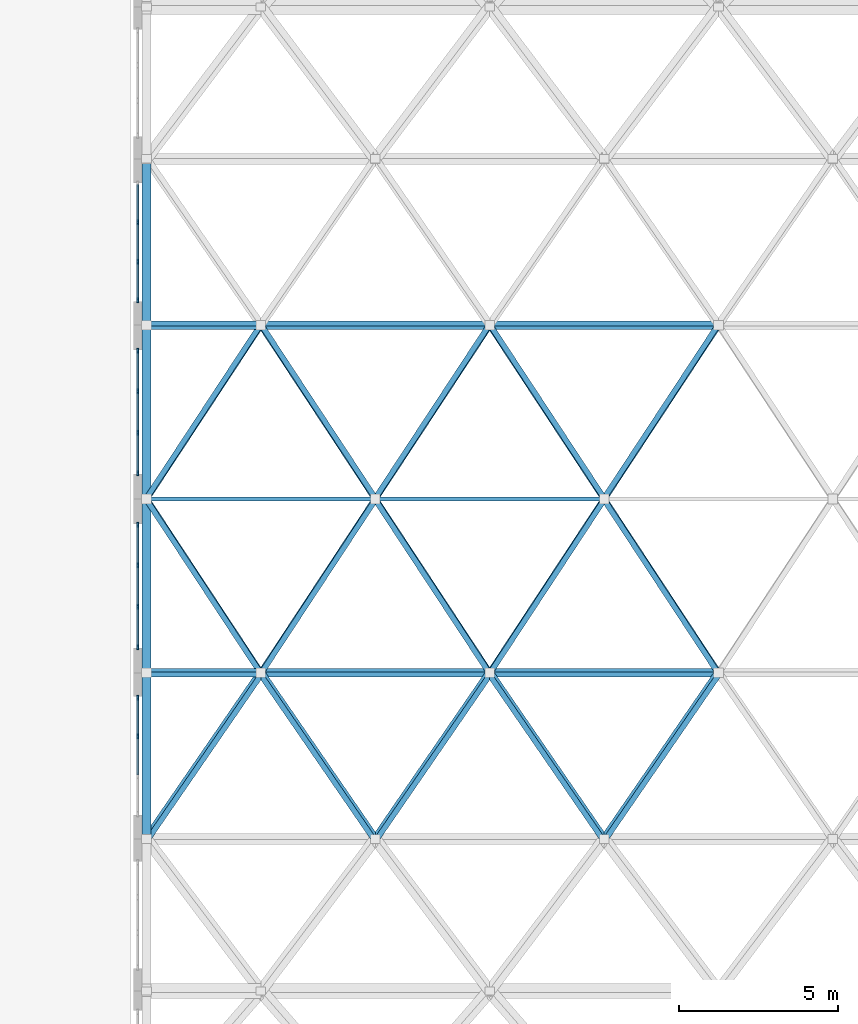
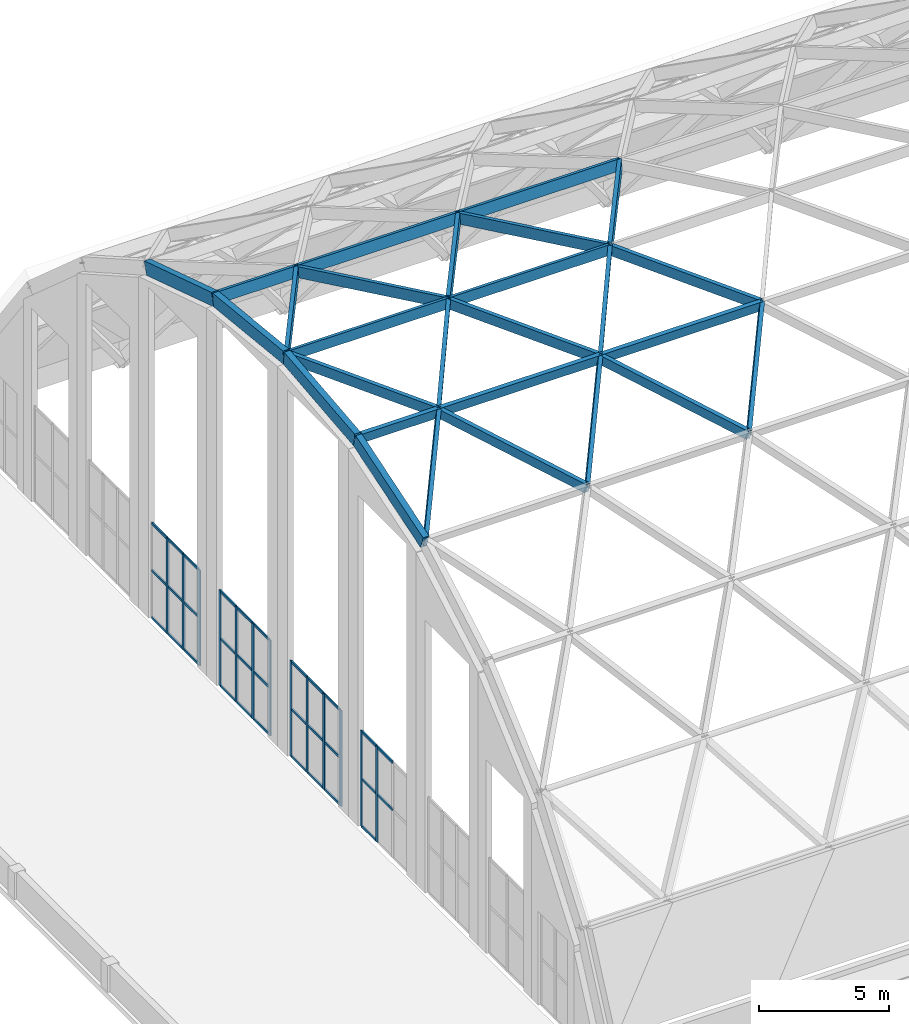
# One storey, part 5 of 52: 60 members, 12 beams, 4 elements without a shape of their own.
"""IFC4 building model written with IfcOpenShell, lengths in metres."""

from ifc_helpers import new_model, si_unit, direction, frame, origin, origin_2d, place, context, subcontext, project, spatial, rectangle, extrude, material, material_profile, profile_set, type_object, element, aggregate, save


model = new_model("IFC4")

# Units and contexts
model_context = context("Model", 3, precision=1e-05, world=origin(), true_north=direction((0.0, 1.0)))
body_context = subcontext(model_context, "Body", "Model", "MODEL_VIEW")
ifc_project = project(units=[si_unit("LENGTHUNIT", "METRE"), si_unit("AREAUNIT", "SQUARE_METRE"), si_unit("VOLUMEUNIT", "CUBIC_METRE"), si_unit("PLANEANGLEUNIT", "RADIAN"), si_unit("MASSUNIT", "GRAM", prefix="KILO")], contexts=[model_context])

# Site, building, storey
site_placement = place(None, origin())
site = spatial("IfcSite", under=ifc_project, at=site_placement, CompositionType="ELEMENT")
building_placement = place(site_placement, origin())
building = spatial("IfcBuilding", under=site, at=building_placement, Name="Vermilion Court Aquatics Centre", CompositionType="ELEMENT")
storey_placement = place(building_placement, frame((0.0, 0.0, 12.0)))
storey = spatial("IfcBuildingStorey", under=building, at=storey_placement, Name="L02", CompositionType="ELEMENT", Elevation=12.0)

# Curtain wall, members
ifc_material_1 = material(Name="Aluminium 6063-T5", Category="aluminium")
curtain_wall_type = type_object("IfcCurtainWallType", Name="Envelope curtain wall west gable lower runs", PredefinedType="NOTDEFINED", material=ifc_material_1)
curtain_wall_1_placement = place(storey_placement, origin())
curtain_wall_1 = element("IfcCurtainWall", 1, at=curtain_wall_1_placement, inside=storey, type_object=curtain_wall_type, Name="Gable glazing west 5.1", PredefinedType="NOTDEFINED")
ifc_material_2 = material(Name="Aluminium 6063-T5", Category="aluminium")
ifc_material_profile_1 = material_profile(ifc_material_2, rectangle(XDim=0.06005859375, YDim=0.159912109375, at=origin_2d()), Name="AL 60x160")
ifc_profile_set_1 = profile_set([ifc_material_profile_1], Name="Aluminium 6063-T5")
member_type_1 = type_object("IfcMemberType", Name="Envelope aluminium mullion 60x160", PredefinedType="MULLION", material=ifc_profile_set_1)
member_1_placement = place(storey_placement, frame((14.125, 32.13671875, 0.0), z_axis=(0.0, 0.0, 1.0), x_axis=(-1.0, 0.0, 0.0)))
member_1 = element("IfcMember", 2, at=member_1_placement, type_object=member_type_1, Name="ECW3 mullion 3", PredefinedType="MULLION", context=body_context, shape_type="SweptSolid", body=[
    extrude(rectangle(XDim=0.06005859375, YDim=0.159912109375, at=origin_2d()), origin(), (0.0, 0.0, 1.0), 4.5),
])
member_2_placement = place(storey_placement, frame((14.125, 33.35009765625, 0.0), z_axis=(0.0, 0.0, 1.0), x_axis=(-1.0, 0.0, 0.0)))
member_2 = element("IfcMember", 3, at=member_2_placement, type_object=member_type_1, Name="ECW3 mullion 4", PredefinedType="MULLION", context=body_context, shape_type="SweptSolid", body=[
    extrude(rectangle(XDim=0.06005859375, YDim=0.159912109375, at=origin_2d()), origin(), (0.0, 0.0, 1.0), 4.5),
])

curtain_wall_2_placement = place(storey_placement, origin())
curtain_wall_2 = element("IfcCurtainWall", 4, at=curtain_wall_2_placement, inside=storey, type_object=curtain_wall_type, Name="Gable glazing west 6.1", PredefinedType="NOTDEFINED")
member_3_placement = place(storey_placement, frame((14.125, 34.93994140625, 0.0), z_axis=(0.0, 0.0, 1.0), x_axis=(-1.0, 0.0, 0.0)))
member_3 = element("IfcMember", 5, at=member_3_placement, type_object=member_type_1, Name="ECW3 mullion 1", PredefinedType="MULLION", context=body_context, shape_type="SweptSolid", body=[
    extrude(rectangle(XDim=0.06005859375, YDim=0.159912109375, at=origin_2d()), origin(), (0.0, 0.0, 1.0), 4.5),
])
member_4_placement = place(storey_placement, frame((14.125, 36.21337890625, 0.0), z_axis=(0.0, 0.0, 1.0), x_axis=(-1.0, 0.0, 0.0)))
member_4 = element("IfcMember", 6, at=member_4_placement, type_object=member_type_1, Name="ECW3 mullion 2", PredefinedType="MULLION", context=body_context, shape_type="SweptSolid", body=[
    extrude(rectangle(XDim=0.06005859375, YDim=0.159912109375, at=origin_2d()), origin(), (0.0, 0.0, 1.0), 4.5),
])
member_5_placement = place(storey_placement, frame((14.125, 37.5166015625, 0.0), z_axis=(0.0, 0.0, 1.0), x_axis=(-1.0, 0.0, 0.0)))
member_5 = element("IfcMember", 7, at=member_5_placement, type_object=member_type_1, Name="ECW3 mullion 3", PredefinedType="MULLION", context=body_context, shape_type="SweptSolid", body=[
    extrude(rectangle(XDim=0.06005859375, YDim=0.159912109375, at=origin_2d()), origin(), (0.0, 0.0, 1.0), 4.5),
])
member_6_placement = place(storey_placement, frame((14.125, 38.7900390625, 0.0), z_axis=(0.0, 0.0, 1.0), x_axis=(-1.0, 0.0, 0.0)))
member_6 = element("IfcMember", 8, at=member_6_placement, type_object=member_type_1, Name="ECW3 mullion 4", PredefinedType="MULLION", context=body_context, shape_type="SweptSolid", body=[
    extrude(rectangle(XDim=0.06005859375, YDim=0.159912109375, at=origin_2d()), origin(), (0.0, 0.0, 1.0), 4.5),
])

curtain_wall_3_placement = place(storey_placement, origin())
curtain_wall_3 = element("IfcCurtainWall", 9, at=curtain_wall_3_placement, inside=storey, type_object=curtain_wall_type, Name="Gable glazing west 7.1", PredefinedType="NOTDEFINED")
member_7_placement = place(storey_placement, frame((14.125, 40.409912109375, 0.0), z_axis=(0.0, 0.0, 1.0), x_axis=(-1.0, 0.0, 0.0)))
member_7 = element("IfcMember", 10, at=member_7_placement, type_object=member_type_1, Name="ECW3 mullion 1", PredefinedType="MULLION", context=body_context, shape_type="SweptSolid", body=[
    extrude(rectangle(XDim=0.06005859375, YDim=0.159912109375, at=origin_2d()), origin(), (0.0, 0.0, 1.0), 4.5),
])
member_8_placement = place(storey_placement, frame((14.125, 41.683349609375, 0.0), z_axis=(0.0, 0.0, 1.0), x_axis=(-1.0, 0.0, 0.0)))
member_8 = element("IfcMember", 11, at=member_8_placement, type_object=member_type_1, Name="ECW3 mullion 2", PredefinedType="MULLION", context=body_context, shape_type="SweptSolid", body=[
    extrude(rectangle(XDim=0.06005859375, YDim=0.159912109375, at=origin_2d()), origin(), (0.0, 0.0, 1.0), 4.5),
])
member_9_placement = place(storey_placement, frame((14.125, 42.986572265625, 0.0), z_axis=(0.0, 0.0, 1.0), x_axis=(-1.0, 0.0, 0.0)))
member_9 = element("IfcMember", 12, at=member_9_placement, type_object=member_type_1, Name="ECW3 mullion 3", PredefinedType="MULLION", context=body_context, shape_type="SweptSolid", body=[
    extrude(rectangle(XDim=0.06005859375, YDim=0.159912109375, at=origin_2d()), origin(), (0.0, 0.0, 1.0), 4.5),
])
member_10_placement = place(storey_placement, frame((14.125, 44.260009765625, 0.0), z_axis=(0.0, 0.0, 1.0), x_axis=(-1.0, 0.0, 0.0)))
member_10 = element("IfcMember", 13, at=member_10_placement, type_object=member_type_1, Name="ECW3 mullion 4", PredefinedType="MULLION", context=body_context, shape_type="SweptSolid", body=[
    extrude(rectangle(XDim=0.06005859375, YDim=0.159912109375, at=origin_2d()), origin(), (0.0, 0.0, 1.0), 4.5),
])

curtain_wall_4_placement = place(storey_placement, origin())
curtain_wall_4 = element("IfcCurtainWall", 14, at=curtain_wall_4_placement, inside=storey, type_object=curtain_wall_type, Name="Gable glazing west 8.1", PredefinedType="NOTDEFINED")
member_11_placement = place(storey_placement, frame((14.125, 45.85009765625, 0.0), z_axis=(0.0, 0.0, 1.0), x_axis=(-1.0, 0.0, 0.0)))
member_11 = element("IfcMember", 15, at=member_11_placement, type_object=member_type_1, Name="ECW3 mullion 1", PredefinedType="MULLION", context=body_context, shape_type="SweptSolid", body=[
    extrude(rectangle(XDim=0.06005859375, YDim=0.159912109375, at=origin_2d()), origin(), (0.0, 0.0, 1.0), 4.5),
])
member_12_placement = place(storey_placement, frame((14.125, 47.063232421875, 0.0), z_axis=(0.0, 0.0, 1.0), x_axis=(-1.0, 0.0, 0.0)))
member_12 = element("IfcMember", 16, at=member_12_placement, type_object=member_type_1, Name="ECW3 mullion 2", PredefinedType="MULLION", context=body_context, shape_type="SweptSolid", body=[
    extrude(rectangle(XDim=0.06005859375, YDim=0.159912109375, at=origin_2d()), origin(), (0.0, 0.0, 1.0), 4.5),
])
member_13_placement = place(storey_placement, frame((14.125, 48.306640625, 0.0), z_axis=(0.0, 0.0, 1.0), x_axis=(-1.0, 0.0, 0.0)))
member_13 = element("IfcMember", 17, at=member_13_placement, type_object=member_type_1, Name="ECW3 mullion 3", PredefinedType="MULLION", context=body_context, shape_type="SweptSolid", body=[
    extrude(rectangle(XDim=0.06005859375, YDim=0.159912109375, at=origin_2d()), origin(), (0.0, 0.0, 1.0), 4.5),
])

# Member
ifc_material_3 = material(Name="Aluminium 6063-T5", Category="aluminium")
ifc_material_profile_2 = material_profile(ifc_material_3, rectangle(XDim=0.06005859375, YDim=0.1201171875, at=origin_2d()), Name="AL 60x120")
ifc_profile_set_2 = profile_set([ifc_material_profile_2], Name="Aluminium 6063-T5")
member_type_2 = type_object("IfcMemberType", Name="Envelope aluminium transom 60x120", PredefinedType="USERDEFINED", material=ifc_profile_set_2)
member_14_placement = place(storey_placement, frame((14.125, 30.92333984375, 2.25), z_axis=(0.0, 1.0, 0.0), x_axis=(-1.0, 0.0, 0.0)))
member_14 = element("IfcMember", 18, at=member_14_placement, type_object=member_type_2, Name="ECW3 transom 2.2", ObjectType="TRANSOM", PredefinedType="USERDEFINED", context=body_context, shape_type="SweptSolid", body=[
    extrude(rectangle(XDim=0.06005859375, YDim=0.1201171875, at=origin_2d()), origin(), (0.0, 0.0, 1.0), 1.183349609375),
])

member_15_placement = place(storey_placement, frame((14.125, 30.92333984375, 4.469970703125), z_axis=(0.0, 1.0, 0.0), x_axis=(-1.0, 0.0, 0.0)))
member_15 = element("IfcMember", 19, at=member_15_placement, type_object=member_type_2, Name="ECW3 transom 2.3", ObjectType="TRANSOM", PredefinedType="USERDEFINED", context=body_context, shape_type="SweptSolid", body=[
    extrude(rectangle(XDim=0.06005859375, YDim=0.1201171875, at=origin_2d()), origin(), (0.0, 0.0, 1.0), 1.183349609375),
])

member_16_placement = place(storey_placement, frame((14.125, 32.166748046875, 0.030029296875), z_axis=(0.0, 1.0, 0.0), x_axis=(-1.0, 0.0, 0.0)))
member_16 = element("IfcMember", 20, at=member_16_placement, type_object=member_type_2, Name="ECW3 transom 3.1", ObjectType="TRANSOM", PredefinedType="USERDEFINED", context=body_context, shape_type="SweptSolid", body=[
    extrude(rectangle(XDim=0.06005859375, YDim=0.1201171875, at=origin_2d()), origin(), (0.0, 0.0, 1.0), 1.1533203125),
])

member_17_placement = place(storey_placement, frame((14.125, 32.166748046875, 2.25), z_axis=(0.0, 1.0, 0.0), x_axis=(-1.0, 0.0, 0.0)))
member_17 = element("IfcMember", 21, at=member_17_placement, type_object=member_type_2, Name="ECW3 transom 3.2", ObjectType="TRANSOM", PredefinedType="USERDEFINED", context=body_context, shape_type="SweptSolid", body=[
    extrude(rectangle(XDim=0.06005859375, YDim=0.1201171875, at=origin_2d()), origin(), (0.0, 0.0, 1.0), 1.1533203125),
])

member_18_placement = place(storey_placement, frame((14.125, 32.166748046875, 4.469970703125), z_axis=(0.0, 1.0, 0.0), x_axis=(-1.0, 0.0, 0.0)))
member_18 = element("IfcMember", 22, at=member_18_placement, type_object=member_type_2, Name="ECW3 transom 3.3", ObjectType="TRANSOM", PredefinedType="USERDEFINED", context=body_context, shape_type="SweptSolid", body=[
    extrude(rectangle(XDim=0.06005859375, YDim=0.1201171875, at=origin_2d()), origin(), (0.0, 0.0, 1.0), 1.1533203125),
])

aggregate(curtain_wall_1, [member_1, member_2, member_14, member_15, member_16, member_17, member_18])

member_19_placement = place(storey_placement, frame((14.125, 34.969970703125, 0.030029296875), z_axis=(0.0, 1.0, 0.0), x_axis=(-1.0, 0.0, 0.0)))
member_19 = element("IfcMember", 23, at=member_19_placement, type_object=member_type_2, Name="ECW3 transom 1.1", ObjectType="TRANSOM", PredefinedType="USERDEFINED", context=body_context, shape_type="SweptSolid", body=[
    extrude(rectangle(XDim=0.06005859375, YDim=0.1201171875, at=origin_2d()), origin(), (0.0, 0.0, 1.0), 1.21337890625),
])

member_20_placement = place(storey_placement, frame((14.125, 34.969970703125, 2.25), z_axis=(0.0, 1.0, 0.0), x_axis=(-1.0, 0.0, 0.0)))
member_20 = element("IfcMember", 24, at=member_20_placement, type_object=member_type_2, Name="ECW3 transom 1.2", ObjectType="TRANSOM", PredefinedType="USERDEFINED", context=body_context, shape_type="SweptSolid", body=[
    extrude(rectangle(XDim=0.06005859375, YDim=0.1201171875, at=origin_2d()), origin(), (0.0, 0.0, 1.0), 1.21337890625),
])

member_21_placement = place(storey_placement, frame((14.125, 34.969970703125, 4.469970703125), z_axis=(0.0, 1.0, 0.0), x_axis=(-1.0, 0.0, 0.0)))
member_21 = element("IfcMember", 25, at=member_21_placement, type_object=member_type_2, Name="ECW3 transom 1.3", ObjectType="TRANSOM", PredefinedType="USERDEFINED", context=body_context, shape_type="SweptSolid", body=[
    extrude(rectangle(XDim=0.06005859375, YDim=0.1201171875, at=origin_2d()), origin(), (0.0, 0.0, 1.0), 1.21337890625),
])

member_22_placement = place(storey_placement, frame((14.125, 36.243408203125, 0.030029296875), z_axis=(0.0, 1.0, 0.0), x_axis=(-1.0, 0.0, 0.0)))
member_22 = element("IfcMember", 26, at=member_22_placement, type_object=member_type_2, Name="ECW3 transom 2.1", ObjectType="TRANSOM", PredefinedType="USERDEFINED", context=body_context, shape_type="SweptSolid", body=[
    extrude(rectangle(XDim=0.06005859375, YDim=0.1201171875, at=origin_2d()), origin(), (0.0, 0.0, 1.0), 1.2431640625),
])

member_23_placement = place(storey_placement, frame((14.125, 36.243408203125, 2.25), z_axis=(0.0, 1.0, 0.0), x_axis=(-1.0, 0.0, 0.0)))
member_23 = element("IfcMember", 27, at=member_23_placement, type_object=member_type_2, Name="ECW3 transom 2.2", ObjectType="TRANSOM", PredefinedType="USERDEFINED", context=body_context, shape_type="SweptSolid", body=[
    extrude(rectangle(XDim=0.06005859375, YDim=0.1201171875, at=origin_2d()), origin(), (0.0, 0.0, 1.0), 1.2431640625),
])

member_24_placement = place(storey_placement, frame((14.125, 36.243408203125, 4.469970703125), z_axis=(0.0, 1.0, 0.0), x_axis=(-1.0, 0.0, 0.0)))
member_24 = element("IfcMember", 28, at=member_24_placement, type_object=member_type_2, Name="ECW3 transom 2.3", ObjectType="TRANSOM", PredefinedType="USERDEFINED", context=body_context, shape_type="SweptSolid", body=[
    extrude(rectangle(XDim=0.06005859375, YDim=0.1201171875, at=origin_2d()), origin(), (0.0, 0.0, 1.0), 1.2431640625),
])

member_25_placement = place(storey_placement, frame((14.125, 37.546630859375, 0.030029296875), z_axis=(0.0, 1.0, 0.0), x_axis=(-1.0, 0.0, 0.0)))
member_25 = element("IfcMember", 29, at=member_25_placement, type_object=member_type_2, Name="ECW3 transom 3.1", ObjectType="TRANSOM", PredefinedType="USERDEFINED", context=body_context, shape_type="SweptSolid", body=[
    extrude(rectangle(XDim=0.06005859375, YDim=0.1201171875, at=origin_2d()), origin(), (0.0, 0.0, 1.0), 1.21337890625),
])

member_26_placement = place(storey_placement, frame((14.125, 37.546630859375, 2.25), z_axis=(0.0, 1.0, 0.0), x_axis=(-1.0, 0.0, 0.0)))
member_26 = element("IfcMember", 30, at=member_26_placement, type_object=member_type_2, Name="ECW3 transom 3.2", ObjectType="TRANSOM", PredefinedType="USERDEFINED", context=body_context, shape_type="SweptSolid", body=[
    extrude(rectangle(XDim=0.06005859375, YDim=0.1201171875, at=origin_2d()), origin(), (0.0, 0.0, 1.0), 1.21337890625),
])

member_27_placement = place(storey_placement, frame((14.125, 37.546630859375, 4.469970703125), z_axis=(0.0, 1.0, 0.0), x_axis=(-1.0, 0.0, 0.0)))
member_27 = element("IfcMember", 31, at=member_27_placement, type_object=member_type_2, Name="ECW3 transom 3.3", ObjectType="TRANSOM", PredefinedType="USERDEFINED", context=body_context, shape_type="SweptSolid", body=[
    extrude(rectangle(XDim=0.06005859375, YDim=0.1201171875, at=origin_2d()), origin(), (0.0, 0.0, 1.0), 1.21337890625),
])

aggregate(curtain_wall_2, [member_3, member_4, member_5, member_6, member_19, member_20, member_21, member_22, member_23, member_24, member_25, member_26, member_27])

member_28_placement = place(storey_placement, frame((14.125, 40.43994140625, 0.030029296875), z_axis=(0.0, 1.0, 0.0), x_axis=(-1.0, 0.0, 0.0)))
member_28 = element("IfcMember", 32, at=member_28_placement, type_object=member_type_2, Name="ECW3 transom 1.1", ObjectType="TRANSOM", PredefinedType="USERDEFINED", context=body_context, shape_type="SweptSolid", body=[
    extrude(rectangle(XDim=0.06005859375, YDim=0.1201171875, at=origin_2d()), origin(), (0.0, 0.0, 1.0), 1.21337890625),
])

member_29_placement = place(storey_placement, frame((14.125, 40.43994140625, 2.25), z_axis=(0.0, 1.0, 0.0), x_axis=(-1.0, 0.0, 0.0)))
member_29 = element("IfcMember", 33, at=member_29_placement, type_object=member_type_2, Name="ECW3 transom 1.2", ObjectType="TRANSOM", PredefinedType="USERDEFINED", context=body_context, shape_type="SweptSolid", body=[
    extrude(rectangle(XDim=0.06005859375, YDim=0.1201171875, at=origin_2d()), origin(), (0.0, 0.0, 1.0), 1.21337890625),
])

member_30_placement = place(storey_placement, frame((14.125, 40.43994140625, 4.469970703125), z_axis=(0.0, 1.0, 0.0), x_axis=(-1.0, 0.0, 0.0)))
member_30 = element("IfcMember", 34, at=member_30_placement, type_object=member_type_2, Name="ECW3 transom 1.3", ObjectType="TRANSOM", PredefinedType="USERDEFINED", context=body_context, shape_type="SweptSolid", body=[
    extrude(rectangle(XDim=0.06005859375, YDim=0.1201171875, at=origin_2d()), origin(), (0.0, 0.0, 1.0), 1.21337890625),
])

member_31_placement = place(storey_placement, frame((14.125, 41.71337890625, 0.030029296875), z_axis=(0.0, 1.0, 0.0), x_axis=(-1.0, 0.0, 0.0)))
member_31 = element("IfcMember", 35, at=member_31_placement, type_object=member_type_2, Name="ECW3 transom 2.1", ObjectType="TRANSOM", PredefinedType="USERDEFINED", context=body_context, shape_type="SweptSolid", body=[
    extrude(rectangle(XDim=0.06005859375, YDim=0.1201171875, at=origin_2d()), origin(), (0.0, 0.0, 1.0), 1.243408203125),
])

member_32_placement = place(storey_placement, frame((14.125, 41.71337890625, 2.25), z_axis=(0.0, 1.0, 0.0), x_axis=(-1.0, 0.0, 0.0)))
member_32 = element("IfcMember", 36, at=member_32_placement, type_object=member_type_2, Name="ECW3 transom 2.2", ObjectType="TRANSOM", PredefinedType="USERDEFINED", context=body_context, shape_type="SweptSolid", body=[
    extrude(rectangle(XDim=0.06005859375, YDim=0.1201171875, at=origin_2d()), origin(), (0.0, 0.0, 1.0), 1.243408203125),
])

member_33_placement = place(storey_placement, frame((14.125, 41.71337890625, 4.469970703125), z_axis=(0.0, 1.0, 0.0), x_axis=(-1.0, 0.0, 0.0)))
member_33 = element("IfcMember", 37, at=member_33_placement, type_object=member_type_2, Name="ECW3 transom 2.3", ObjectType="TRANSOM", PredefinedType="USERDEFINED", context=body_context, shape_type="SweptSolid", body=[
    extrude(rectangle(XDim=0.06005859375, YDim=0.1201171875, at=origin_2d()), origin(), (0.0, 0.0, 1.0), 1.243408203125),
])

member_34_placement = place(storey_placement, frame((14.125, 43.0166015625, 0.030029296875), z_axis=(0.0, 1.0, 0.0), x_axis=(-1.0, 0.0, 0.0)))
member_34 = element("IfcMember", 38, at=member_34_placement, type_object=member_type_2, Name="ECW3 transom 3.1", ObjectType="TRANSOM", PredefinedType="USERDEFINED", context=body_context, shape_type="SweptSolid", body=[
    extrude(rectangle(XDim=0.06005859375, YDim=0.1201171875, at=origin_2d()), origin(), (0.0, 0.0, 1.0), 1.21337890625),
])

member_35_placement = place(storey_placement, frame((14.125, 43.0166015625, 2.25), z_axis=(0.0, 1.0, 0.0), x_axis=(-1.0, 0.0, 0.0)))
member_35 = element("IfcMember", 39, at=member_35_placement, type_object=member_type_2, Name="ECW3 transom 3.2", ObjectType="TRANSOM", PredefinedType="USERDEFINED", context=body_context, shape_type="SweptSolid", body=[
    extrude(rectangle(XDim=0.06005859375, YDim=0.1201171875, at=origin_2d()), origin(), (0.0, 0.0, 1.0), 1.21337890625),
])

member_36_placement = place(storey_placement, frame((14.125, 43.0166015625, 4.469970703125), z_axis=(0.0, 1.0, 0.0), x_axis=(-1.0, 0.0, 0.0)))
member_36 = element("IfcMember", 40, at=member_36_placement, type_object=member_type_2, Name="ECW3 transom 3.3", ObjectType="TRANSOM", PredefinedType="USERDEFINED", context=body_context, shape_type="SweptSolid", body=[
    extrude(rectangle(XDim=0.06005859375, YDim=0.1201171875, at=origin_2d()), origin(), (0.0, 0.0, 1.0), 1.21337890625),
])

aggregate(curtain_wall_3, [member_7, member_8, member_9, member_10, member_28, member_29, member_30, member_31, member_32, member_33, member_34, member_35, member_36])

member_37_placement = place(storey_placement, frame((14.125, 45.8798828125, 0.030029296875), z_axis=(0.0, 1.0, 0.0), x_axis=(-1.0, 0.0, 0.0)))
member_37 = element("IfcMember", 41, at=member_37_placement, type_object=member_type_2, Name="ECW3 transom 1.1", ObjectType="TRANSOM", PredefinedType="USERDEFINED", context=body_context, shape_type="SweptSolid", body=[
    extrude(rectangle(XDim=0.06005859375, YDim=0.1201171875, at=origin_2d()), origin(), (0.0, 0.0, 1.0), 1.153564453125),
])

member_38_placement = place(storey_placement, frame((14.125, 45.8798828125, 2.25), z_axis=(0.0, 1.0, 0.0), x_axis=(-1.0, 0.0, 0.0)))
member_38 = element("IfcMember", 42, at=member_38_placement, type_object=member_type_2, Name="ECW3 transom 1.2", ObjectType="TRANSOM", PredefinedType="USERDEFINED", context=body_context, shape_type="SweptSolid", body=[
    extrude(rectangle(XDim=0.06005859375, YDim=0.1201171875, at=origin_2d()), origin(), (0.0, 0.0, 1.0), 1.153564453125),
])

member_39_placement = place(storey_placement, frame((14.125, 45.8798828125, 4.469970703125), z_axis=(0.0, 1.0, 0.0), x_axis=(-1.0, 0.0, 0.0)))
member_39 = element("IfcMember", 43, at=member_39_placement, type_object=member_type_2, Name="ECW3 transom 1.3", ObjectType="TRANSOM", PredefinedType="USERDEFINED", context=body_context, shape_type="SweptSolid", body=[
    extrude(rectangle(XDim=0.06005859375, YDim=0.1201171875, at=origin_2d()), origin(), (0.0, 0.0, 1.0), 1.153564453125),
])

member_40_placement = place(storey_placement, frame((14.125, 47.09326171875, 0.030029296875), z_axis=(0.0, 1.0, 0.0), x_axis=(-1.0, 0.0, 0.0)))
member_40 = element("IfcMember", 44, at=member_40_placement, type_object=member_type_2, Name="ECW3 transom 2.1", ObjectType="TRANSOM", PredefinedType="USERDEFINED", context=body_context, shape_type="SweptSolid", body=[
    extrude(rectangle(XDim=0.06005859375, YDim=0.1201171875, at=origin_2d()), origin(), (0.0, 0.0, 1.0), 1.183349609375),
])

member_41_placement = place(storey_placement, frame((14.125, 47.09326171875, 2.25), z_axis=(0.0, 1.0, 0.0), x_axis=(-1.0, 0.0, 0.0)))
member_41 = element("IfcMember", 45, at=member_41_placement, type_object=member_type_2, Name="ECW3 transom 2.2", ObjectType="TRANSOM", PredefinedType="USERDEFINED", context=body_context, shape_type="SweptSolid", body=[
    extrude(rectangle(XDim=0.06005859375, YDim=0.1201171875, at=origin_2d()), origin(), (0.0, 0.0, 1.0), 1.183349609375),
])

member_42_placement = place(storey_placement, frame((14.125, 47.09326171875, 4.469970703125), z_axis=(0.0, 1.0, 0.0), x_axis=(-1.0, 0.0, 0.0)))
member_42 = element("IfcMember", 46, at=member_42_placement, type_object=member_type_2, Name="ECW3 transom 2.3", ObjectType="TRANSOM", PredefinedType="USERDEFINED", context=body_context, shape_type="SweptSolid", body=[
    extrude(rectangle(XDim=0.06005859375, YDim=0.1201171875, at=origin_2d()), origin(), (0.0, 0.0, 1.0), 1.183349609375),
])

member_43_placement = place(storey_placement, frame((14.125, 48.336669921875, 0.030029296875), z_axis=(0.0, 1.0, 0.0), x_axis=(-1.0, 0.0, 0.0)))
member_43 = element("IfcMember", 47, at=member_43_placement, type_object=member_type_2, Name="ECW3 transom 3.1", ObjectType="TRANSOM", PredefinedType="USERDEFINED", context=body_context, shape_type="SweptSolid", body=[
    extrude(rectangle(XDim=0.06005859375, YDim=0.1201171875, at=origin_2d()), origin(), (0.0, 0.0, 1.0), 1.1533203125),
])

member_44_placement = place(storey_placement, frame((14.125, 48.336669921875, 2.25), z_axis=(0.0, 1.0, 0.0), x_axis=(-1.0, 0.0, 0.0)))
member_44 = element("IfcMember", 48, at=member_44_placement, type_object=member_type_2, Name="ECW3 transom 3.2", ObjectType="TRANSOM", PredefinedType="USERDEFINED", context=body_context, shape_type="SweptSolid", body=[
    extrude(rectangle(XDim=0.06005859375, YDim=0.1201171875, at=origin_2d()), origin(), (0.0, 0.0, 1.0), 1.1533203125),
])

member_45_placement = place(storey_placement, frame((14.125, 48.336669921875, 4.469970703125), z_axis=(0.0, 1.0, 0.0), x_axis=(-1.0, 0.0, 0.0)))
member_45 = element("IfcMember", 49, at=member_45_placement, type_object=member_type_2, Name="ECW3 transom 3.3", ObjectType="TRANSOM", PredefinedType="USERDEFINED", context=body_context, shape_type="SweptSolid", body=[
    extrude(rectangle(XDim=0.06005859375, YDim=0.1201171875, at=origin_2d()), origin(), (0.0, 0.0, 1.0), 1.1533203125),
])

aggregate(curtain_wall_4, [member_11, member_12, member_13, member_37, member_38, member_39, member_40, member_41, member_42, member_43, member_44, member_45])

# Beams
ifc_material_4 = material(Name="Glulam 24F-V4 Douglas fir", Category="wood")
ifc_material_profile_3 = material_profile(ifc_material_4, rectangle(XDim=0.27294921875, YDim=0.60009765625, at=origin_2d()), Name="GL24F 273x600")
ifc_profile_set_3 = profile_set([ifc_material_profile_3], Name="Glulam 24F-V4 Douglas fir")
beam_type_1 = type_object("IfcBeamType", Name="Roof gable arch rib GL24F 273x600", PredefinedType="BEAM", material=ifc_profile_set_3)
beam_1_placement = place(storey_placement, frame((14.39990234375, 28.934326171875, 15.965576171875), z_axis=(0.0, 0.95236068904, 0.304973962775), x_axis=(-1.0, 0.0, 0.0)))
element("IfcBeam", 50, at=beam_1_placement, inside=storey, type_object=beam_type_1, Name="Gable arch rib GR-R04-W", PredefinedType="BEAM", context=body_context, shape_type="SweptSolid", body=[
    extrude(rectangle(XDim=0.27294921875, YDim=0.60009765625, at=origin_2d()), origin(), (0.0, 0.0, 1.0), 5.45166015625),
])
for number, where, z_axis, x_axis, name in (
    (51, (14.39990234375, 34.155029296875, 17.63427734375), (0.0, 0.994650044267, 0.103301933381), (-1.0, 0.0, 0.0), "Gable arch rib GR-R05-W"),
    (52, (14.39990234375, 39.61474609375, 18.1982421875), (0.0, 0.994650044267, -0.103301933381), (-1.0, 0.0, 0.0), "Gable arch rib GR-R06-W"),
):
    element("IfcBeam", number, at=place(storey_placement, frame(where, z_axis=z_axis, x_axis=x_axis)), inside=storey, type_object=beam_type_1, Name=name, PredefinedType="BEAM", context=body_context, shape_type="SweptSolid", body=[
        extrude(rectangle(XDim=0.27294921875, YDim=0.60009765625, at=origin_2d()), origin(), (0.0, 0.0, 1.0), 5.45947265625),
    ])
beam_2_placement = place(storey_placement, frame((14.39990234375, 45.07373046875, 17.628173828125), z_axis=(0.0, 0.95236068904, -0.304973962775), x_axis=(-1.0, 0.0, 0.0)))
element("IfcBeam", 53, at=beam_2_placement, inside=storey, type_object=beam_type_1, Name="Gable arch rib GR-R07-W", PredefinedType="BEAM", context=body_context, shape_type="SweptSolid", body=[
    extrude(rectangle(XDim=0.27294921875, YDim=0.60009765625, at=origin_2d()), origin(), (0.0, 0.0, 1.0), 5.45166015625),
])
ifc_material_5 = material(Name="Glulam 24F-V4 Douglas fir", Category="wood")
ifc_material_profile_4 = material_profile(ifc_material_5, rectangle(XDim=0.1298828125, YDim=0.5, at=origin_2d()), Name="GL24F 130x500")
ifc_profile_set_4 = profile_set([ifc_material_profile_4], Name="Glulam 24F-V4 Douglas fir")
beam_type_2 = type_object("IfcBeamType", Name="Roof glulam beam GL24F 130x500", PredefinedType="BEAM", material=ifc_profile_set_4)
beam_3_placement = place(storey_placement, frame((14.53662109375, 39.60009765625, 18.25), z_axis=(1.0, 0.0, 0.0), x_axis=(0.0, 1.0, 0.0)))
element("IfcBeam", 54, at=beam_3_placement, inside=storey, type_object=beam_type_2, Name="Gridshell member GM-S06-00", PredefinedType="BEAM", context=body_context, shape_type="SweptSolid", body=[
    extrude(rectangle(XDim=0.1298828125, YDim=0.5, at=origin_2d()), origin(), (0.0, 0.0, 1.0), 7.0634765625),
])
beam_4_placement = place(storey_placement, frame((21.60009765625, 39.60009765625, 18.25), z_axis=(1.0, 0.0, 0.0), x_axis=(0.0, 1.0, 0.0)))
element("IfcBeam", 55, at=beam_4_placement, inside=storey, type_object=beam_type_2, Name="Gridshell member GM-S06-01", PredefinedType="BEAM", context=body_context, shape_type="SweptSolid", body=[
    extrude(rectangle(XDim=0.1298828125, YDim=0.5, at=origin_2d()), origin(), (0.0, 0.0, 1.0), 7.199951171875),
])
ifc_material_6 = material(Name="Glulam 24F-V4 Douglas fir", Category="wood")
ifc_material_profile_5 = material_profile(ifc_material_6, rectangle(XDim=0.1708984375, YDim=0.5, at=origin_2d()), Name="GL24F 171x500")
ifc_profile_set_5 = profile_set([ifc_material_profile_5], Name="Glulam 24F-V4 Douglas fir")
beam_type_3 = type_object("IfcBeamType", Name="Roof glulam beam GL24F 171x500", PredefinedType="BEAM", material=ifc_profile_set_5)
beam_5_placement = place(storey_placement, frame((14.53662109375, 34.1298828125, 17.681884765625), z_axis=(1.0, 0.0, 0.0), x_axis=(0.0, 0.978692135467, 0.205333153619)))
element("IfcBeam", 56, at=beam_5_placement, inside=storey, type_object=beam_type_3, Name="Gridshell member GM-S05-00", PredefinedType="BEAM", context=body_context, shape_type="SweptSolid", body=[
    extrude(rectangle(XDim=0.1708984375, YDim=0.5, at=origin_2d()), origin(), (0.0, 0.0, 1.0), 3.46337890625),
])
for number, where, z_axis, x_axis, name in (
    (57, (18.0, 34.1298828125, 17.681884765625), (1.0, 0.0, 0.0), (0.0, 0.978692135467, 0.205333153619), "Gridshell member GM-S05-01"),
    (58, (25.199951171875, 34.1298828125, 17.681884765625), (1.0, 0.0, 0.0), (0.0, 0.978692135467, 0.205333153619), "Gridshell member GM-S05-02"),
):
    element("IfcBeam", number, at=place(storey_placement, frame(where, z_axis=z_axis, x_axis=x_axis)), inside=storey, type_object=beam_type_3, Name=name, PredefinedType="BEAM", context=body_context, shape_type="SweptSolid", body=[
        extrude(rectangle(XDim=0.1708984375, YDim=0.5, at=origin_2d()), origin(), (0.0, 0.0, 1.0), 7.199951171875),
    ])
beam_6_placement = place(storey_placement, frame((14.53662109375, 45.070068359375, 17.681884765625), z_axis=(1.0, 0.0, 0.0), x_axis=(0.0, 0.978692135467, -0.205333153619)))
element("IfcBeam", 59, at=beam_6_placement, inside=storey, type_object=beam_type_3, Name="Gridshell member GM-S07-00", PredefinedType="BEAM", context=body_context, shape_type="SweptSolid", body=[
    extrude(rectangle(XDim=0.1708984375, YDim=0.5, at=origin_2d()), origin(), (0.0, 0.0, 1.0), 3.46337890625),
])
for number, where, z_axis, x_axis, name in (
    (60, (18.0, 45.070068359375, 17.681884765625), (1.0, 0.0, 0.0), (0.0, 0.978692135467, -0.205333153619), "Gridshell member GM-S07-01"),
    (61, (25.199951171875, 45.070068359375, 17.681884765625), (1.0, 0.0, 0.0), (0.0, 0.978692135467, -0.205333153619), "Gridshell member GM-S07-02"),
):
    element("IfcBeam", number, at=place(storey_placement, frame(where, z_axis=z_axis, x_axis=x_axis)), inside=storey, type_object=beam_type_3, Name=name, PredefinedType="BEAM", context=body_context, shape_type="SweptSolid", body=[
        extrude(rectangle(XDim=0.1708984375, YDim=0.5, at=origin_2d()), origin(), (0.0, 0.0, 1.0), 7.199951171875),
    ])

# Members
ifc_material_7 = material(Name="Glulam 24F-V4 Douglas fir", Category="wood")
ifc_material_profile_6 = material_profile(ifc_material_7, rectangle(XDim=0.1708984375, YDim=0.5, at=origin_2d()), Name="GL24F 171x500")
ifc_profile_set_6 = profile_set([ifc_material_profile_6], Name="Glulam 24F-V4 Douglas fir")
member_type_3 = type_object("IfcMemberType", Name="Roof glulam diagonal GL24F 171x500", PredefinedType="BRACE", material=ifc_profile_set_6)
for number, where, z_axis, x_axis, name in (
    (62, (14.39990234375, 28.89990234375, 16.007080078125), (0.548255650399, 0.796469045357, 0.255054507103), (-0.836310790084, 0.522113193833, 0.167278436192), "Gridshell member GM-D04-00"),
    (63, (21.60009765625, 28.89990234375, 16.007080078125), (-0.548255650399, 0.796469045357, 0.255054507103), (-0.836310790084, -0.522113193833, -0.167278436192), "Gridshell member GM-D04-01"),
    (64, (21.60009765625, 28.89990234375, 16.007080078125), (0.548229645356, 0.796485280625, 0.255059706147), (-0.836327836937, 0.522085963539, 0.167278198938), "Gridshell member GM-D04-02"),
    (65, (28.800048828125, 28.89990234375, 16.007080078125), (-0.548255650399, 0.796469045357, 0.255054507103), (-0.836310790084, -0.522113193833, -0.167278436192), "Gridshell member GM-D04-03"),
    (66, (28.800048828125, 28.89990234375, 16.007080078125), (0.548229645356, 0.796485280625, 0.255059706147), (-0.836327836937, 0.522085963539, 0.167278198938), "Gridshell member GM-D04-04"),
):
    element("IfcMember", number, at=place(storey_placement, frame(where, z_axis=z_axis, x_axis=x_axis)), inside=storey, type_object=member_type_3, Name=name, PredefinedType="BRACE", context=body_context, shape_type="SweptSolid", body=[
        extrude(rectangle(XDim=0.1708984375, YDim=0.5, at=origin_2d()), origin(), (0.0, 0.0, 1.0), 6.56640625),
    ])
for number, where, z_axis, x_axis, name in (
    (67, (18.0, 34.1298828125, 17.681884765625), (-0.547694891547, 0.83220207107, 0.086429269811), (-0.83667813664, -0.544769518799, -0.056532000293), "Gridshell member GM-D05-00"),
    (68, (18.0, 34.1298828125, 17.681884765625), (0.547694891547, 0.83220207107, 0.086429269811), (-0.83667813664, 0.544769518799, 0.056532000293), "Gridshell member GM-D05-01"),
):
    element("IfcMember", number, at=place(storey_placement, frame(where, z_axis=z_axis, x_axis=x_axis)), inside=storey, type_object=member_type_3, Name=name, PredefinedType="BRACE", context=body_context, shape_type="SweptSolid", body=[
        extrude(rectangle(XDim=0.1708984375, YDim=0.5, at=origin_2d()), origin(), (0.0, 0.0, 1.0), 6.5732421875),
    ])
member_46_placement = place(storey_placement, frame((25.199951171875, 34.1298828125, 17.681884765625), z_axis=(-0.547668890277, 0.832219000038, 0.086431027987), x_axis=(-0.83669515676, -0.544743378643, -0.056531991638)))
element("IfcMember", 69, at=member_46_placement, inside=storey, type_object=member_type_3, Name="Gridshell member GM-D05-02", PredefinedType="BRACE", context=body_context, shape_type="SweptSolid", body=[
    extrude(rectangle(XDim=0.1708984375, YDim=0.5, at=origin_2d()), origin(), (0.0, 0.0, 1.0), 6.572998046875),
])
member_47_placement = place(storey_placement, frame((25.199951171875, 34.1298828125, 17.681884765625), z_axis=(0.547694891547, 0.83220207107, 0.086429269811), x_axis=(-0.83667813664, 0.544769518799, 0.056532000293)))
element("IfcMember", 70, at=member_47_placement, inside=storey, type_object=member_type_3, Name="Gridshell member GM-D05-03", PredefinedType="BRACE", context=body_context, shape_type="SweptSolid", body=[
    extrude(rectangle(XDim=0.1708984375, YDim=0.5, at=origin_2d()), origin(), (0.0, 0.0, 1.0), 6.5732421875),
])
for number, where, z_axis, x_axis, name in (
    (71, (32.39990234375, 34.1298828125, 17.681884765625), (-0.547668890277, 0.832219000038, 0.086431027987), (-0.83669515676, -0.544743378643, -0.056531991638), "Gridshell member GM-D05-04"),
    (72, (14.39990234375, 39.60009765625, 18.25), (0.547711820979, 0.832190651637, -0.086431941368), (-0.836667054109, 0.544786540764, -0.056531987142), "Gridshell member GM-D06-00"),
    (73, (21.60009765625, 39.60009765625, 18.25), (-0.547711820979, 0.832190651637, -0.086431941368), (-0.836667054109, -0.544786540764, 0.056531987142), "Gridshell member GM-D06-01"),
):
    element("IfcMember", number, at=place(storey_placement, frame(where, z_axis=z_axis, x_axis=x_axis)), inside=storey, type_object=member_type_3, Name=name, PredefinedType="BRACE", context=body_context, shape_type="SweptSolid", body=[
        extrude(rectangle(XDim=0.1708984375, YDim=0.5, at=origin_2d()), origin(), (0.0, 0.0, 1.0), 6.572998046875),
    ])
member_48_placement = place(storey_placement, frame((21.60009765625, 39.60009765625, 18.25), z_axis=(0.547685819594, 0.832207581418, -0.086433699708), x_axis=(-0.836684075066, 0.544760400487, -0.056531978485)))
element("IfcMember", 74, at=member_48_placement, inside=storey, type_object=member_type_3, Name="Gridshell member GM-D06-02", PredefinedType="BRACE", context=body_context, shape_type="SweptSolid", body=[
    extrude(rectangle(XDim=0.1708984375, YDim=0.5, at=origin_2d()), origin(), (0.0, 0.0, 1.0), 6.57275390625),
])
member_49_placement = place(storey_placement, frame((28.800048828125, 39.60009765625, 18.25), z_axis=(-0.547711820979, 0.832190651637, -0.086431941368), x_axis=(-0.836667054109, -0.544786540764, 0.056531987142)))
element("IfcMember", 75, at=member_49_placement, inside=storey, type_object=member_type_3, Name="Gridshell member GM-D06-03", PredefinedType="BRACE", context=body_context, shape_type="SweptSolid", body=[
    extrude(rectangle(XDim=0.1708984375, YDim=0.5, at=origin_2d()), origin(), (0.0, 0.0, 1.0), 6.572998046875),
])
member_50_placement = place(storey_placement, frame((28.800048828125, 39.60009765625, 18.25), z_axis=(0.547685819594, 0.832207581418, -0.086433699708), x_axis=(-0.836684075066, 0.544760400487, -0.056531978485)))
element("IfcMember", 76, at=member_50_placement, inside=storey, type_object=member_type_3, Name="Gridshell member GM-D06-04", PredefinedType="BRACE", context=body_context, shape_type="SweptSolid", body=[
    extrude(rectangle(XDim=0.1708984375, YDim=0.5, at=origin_2d()), origin(), (0.0, 0.0, 1.0), 6.57275390625),
])

save(model, "model.ifc")
